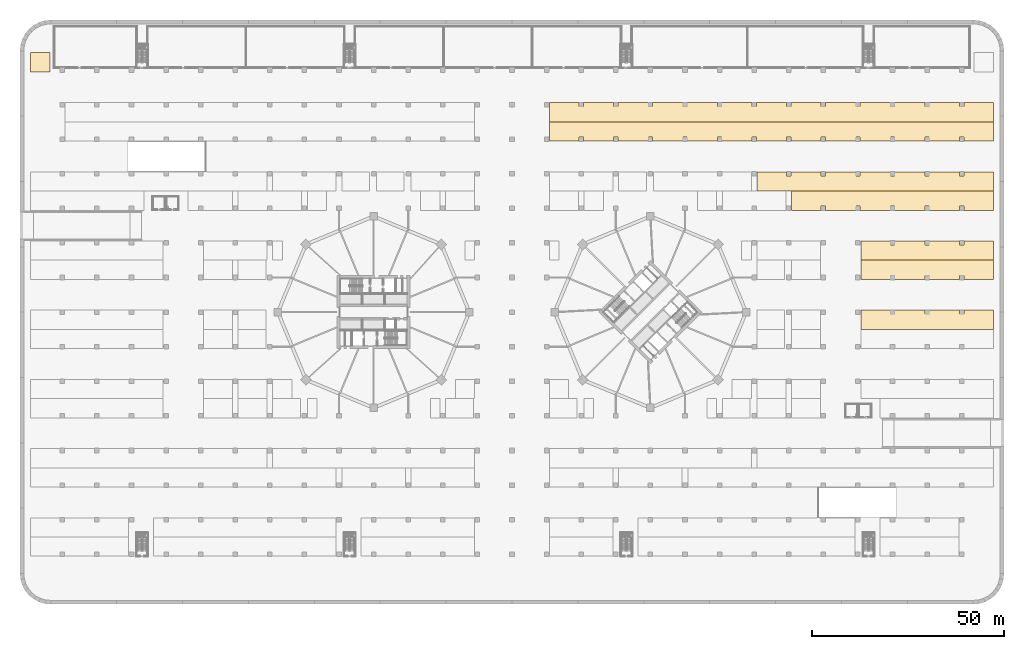
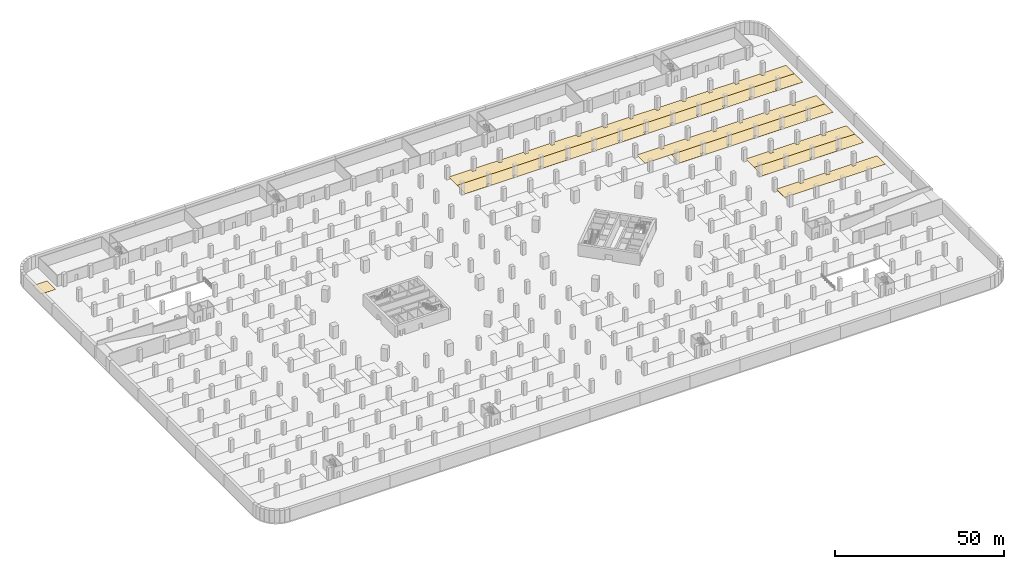
# One storey, part 30 of 34: 8 coverings.
"""IFC4 building model written with IfcOpenShell, lengths in metres."""

from ifc_helpers import new_model, si_unit, direction, frame, origin, place, context, subcontext, project, spatial, polyline, outline, extrude, material, layer, layer_set, type_object, element, save


model = new_model("IFC4")

# Units and contexts
model_context = context("Model", 3, precision=1e-05, world=origin(), true_north=direction((0.0, 1.0)))
body_context = subcontext(model_context, "Body", "Model", "MODEL_VIEW")
ifc_project = project(units=[si_unit("LENGTHUNIT", "METRE"), si_unit("AREAUNIT", "SQUARE_METRE"), si_unit("VOLUMEUNIT", "CUBIC_METRE"), si_unit("PLANEANGLEUNIT", "RADIAN"), si_unit("MASSUNIT", "GRAM", prefix="KILO")], contexts=[model_context])

# Site, building, storey
site_placement = place(None, origin())
site = spatial("IfcSite", under=ifc_project, at=site_placement, CompositionType="ELEMENT")
building_placement = place(site_placement, origin())
building = spatial("IfcBuilding", under=site, at=building_placement, Name="Ogive Gate Towers", CompositionType="ELEMENT")
storey_placement = place(building_placement, frame((0.0, 0.0, -4.5)))
storey = spatial("IfcBuildingStorey", under=building, at=storey_placement, Name="B1", CompositionType="ELEMENT", Elevation=-4.5)

# Coverings
ifc_material = material(Name="Painted floor marking")
ifc_layer = layer(ifc_material, 0.02001953125)
ifc_layer_set = layer_set([ifc_layer], Name="Parking bay marking")
covering_type = type_object("IfcCoveringType", Name="Parking bay marking", PredefinedType="FLOORING", material=ifc_layer_set)
covering_1_placement = place(storey_placement, origin())
element("IfcCovering", 1, at=covering_1_placement, inside=storey, type_object=covering_type, Name="Parking bays B1-041 to B1-058", PredefinedType="FLOORING", context=body_context, shape_type="SweptSolid", body=[
    extrude(outline(polyline([(72.75, 31.5), (125.25, 31.5), (125.25, 26.5), (117.550048828125, 26.5), (117.550048828125, 27.550048828125), (116.449951171875, 27.550048828125), (116.449951171875, 26.5), (108.550048828125, 26.5), (108.550048828125, 27.550048828125), (107.449951171875, 27.550048828125), (107.449951171875, 26.5), (99.550048828125, 26.5), (99.550048828125, 27.550048828125), (98.449951171875, 27.550048828125), (98.449951171875, 26.5), (90.550048828125, 26.5), (90.550048828125, 27.550048828125), (89.449951171875, 27.550048828125), (89.449951171875, 26.5), (81.550048828125, 26.5), (81.550048828125, 27.550048828125), (80.449951171875, 27.550048828125), (80.449951171875, 26.5), (72.75, 26.5), (72.75, 31.5)])), origin(), (0.0, 0.0, 1.0), 0.02001953125),
])
covering_2_placement = place(storey_placement, origin())
element("IfcCovering", 2, at=covering_2_placement, inside=storey, type_object=covering_type, Name="Parking bays B1-081 to B1-092", PredefinedType="FLOORING", context=body_context, shape_type="SweptSolid", body=[
    extrude(outline(polyline([(90.75, 13.5), (125.25, 13.5), (125.25, 8.5), (117.550048828125, 8.5), (117.550048828125, 9.550048828125), (116.449951171875, 9.550048828125), (116.449951171875, 8.5), (108.550048828125, 8.5), (108.550048828125, 9.550048828125), (107.449951171875, 9.550048828125), (107.449951171875, 8.5), (99.550048828125, 8.5), (99.550048828125, 9.550048828125), (98.449951171875, 9.550048828125), (98.449951171875, 8.5), (90.75, 8.5), (90.75, 13.5)])), origin(), (0.0, 0.0, 1.0), 0.02001953125),
])
covering_3_placement = place(storey_placement, origin())
element("IfcCovering", 3, at=covering_3_placement, inside=storey, type_object=covering_type, Name="Parking bays B1-129 to B1-167", PredefinedType="FLOORING", context=body_context, shape_type="SweptSolid", body=[
    extrude(outline(polyline([(9.75, 49.5), (125.25, 49.5), (125.25, 44.5), (117.550048828125, 44.5), (117.550048828125, 45.550048828125), (116.449951171875, 45.550048828125), (116.449951171875, 44.5), (108.550048828125, 44.5), (108.550048828125, 45.550048828125), (107.449951171875, 45.550048828125), (107.449951171875, 44.5), (99.550048828125, 44.5), (99.550048828125, 45.550048828125), (98.449951171875, 45.550048828125), (98.449951171875, 44.5), (90.550048828125, 44.5), (90.550048828125, 45.550048828125), (89.449951171875, 45.550048828125), (89.449951171875, 44.5), (81.550048828125, 44.5), (81.550048828125, 45.550048828125), (80.449951171875, 45.550048828125), (80.449951171875, 44.5), (72.550048828125, 44.5), (72.550048828125, 45.550048828125), (71.449951171875, 45.550048828125), (71.449951171875, 44.5), (63.550048828125, 44.5), (63.550048828125, 45.550048828125), (62.449951171875, 45.550048828125), (62.449951171875, 44.5), (54.550048828125, 44.5), (54.550048828125, 45.550048828125), (53.449951171875, 45.550048828125), (53.449951171875, 44.5), (45.550048828125, 44.5), (45.550048828125, 45.550048828125), (44.449951171875, 45.550048828125), (44.449951171875, 44.5), (36.550048828125, 44.5), (36.550048828125, 45.550048828125), (35.449951171875, 45.550048828125), (35.449951171875, 44.5), (27.550048828125, 44.5), (27.550048828125, 45.550048828125), (26.449951171875, 45.550048828125), (26.449951171875, 44.5), (18.550048828125, 44.5), (18.550048828125, 45.550048828125), (17.449951171875, 45.550048828125), (17.449951171875, 44.5), (9.75, 44.5), (9.75, 49.5)])), origin(), (0.0, 0.0, 1.0), 0.02001953125),
])
covering_4_placement = place(storey_placement, origin())
element("IfcCovering", 4, at=covering_4_placement, inside=storey, type_object=covering_type, Name="Parking bays B1-168 to B1-169", PredefinedType="FLOORING", context=body_context, shape_type="SweptSolid", body=[
    extrude(outline(polyline([(-120.25, 67.5), (-120.25, 62.5), (-125.25, 62.5), (-125.25, 67.5), (-120.25, 67.5)])), origin(), (0.0, 0.0, 1.0), 0.02001953125),
])
covering_5_placement = place(storey_placement, origin())
element("IfcCovering", 5, at=covering_5_placement, inside=storey, type_object=covering_type, Name="Parking bays B1-425 to B1-436", PredefinedType="FLOORING", context=body_context, shape_type="SweptSolid", body=[
    extrude(outline(polyline([(90.75, 18.5), (98.449951171875, 18.5), (98.449951171875, 17.449951171875), (99.550048828125, 17.449951171875), (99.550048828125, 18.5), (107.449951171875, 18.5), (107.449951171875, 17.449951171875), (108.550048828125, 17.449951171875), (108.550048828125, 18.5), (116.449951171875, 18.5), (116.449951171875, 17.449951171875), (117.550048828125, 17.449951171875), (117.550048828125, 18.5), (125.25, 18.5), (125.25, 13.5), (90.75, 13.5), (90.75, 18.5)])), origin(), (0.0, 0.0, 1.0), 0.02001953125),
])
covering_6_placement = place(storey_placement, origin())
element("IfcCovering", 6, at=covering_6_placement, inside=storey, type_object=covering_type, Name="Parking bays B1-459 to B1-470", PredefinedType="FLOORING", context=body_context, shape_type="SweptSolid", body=[
    extrude(outline(polyline([(90.75, 0.5), (98.449951171875, 0.5), (98.449951171875, -0.550048828125), (99.550048828125, -0.550048828125), (99.550048828125, 0.5), (107.449951171875, 0.5), (107.449951171875, -0.550048828125), (108.550048828125, -0.550048828125), (108.550048828125, 0.5), (116.449951171875, 0.5), (116.449951171875, -0.550048828125), (117.550048828125, -0.550048828125), (117.550048828125, 0.5), (125.25, 0.5), (125.25, -4.5), (90.75, -4.5), (90.75, 0.5)])), origin(), (0.0, 0.0, 1.0), 0.02001953125),
])
covering_7_placement = place(storey_placement, origin())
element("IfcCovering", 7, at=covering_7_placement, inside=storey, type_object=covering_type, Name="Parking bays B1-525 to B1-545", PredefinedType="FLOORING", context=body_context, shape_type="SweptSolid", body=[
    extrude(outline(polyline([(63.75, 36.5), (71.449951171875, 36.5), (71.449951171875, 35.449951171875), (72.550048828125, 35.449951171875), (72.550048828125, 36.5), (80.449951171875, 36.5), (80.449951171875, 35.449951171875), (81.550048828125, 35.449951171875), (81.550048828125, 36.5), (89.449951171875, 36.5), (89.449951171875, 35.449951171875), (90.550048828125, 35.449951171875), (90.550048828125, 36.5), (98.449951171875, 36.5), (98.449951171875, 35.449951171875), (99.550048828125, 35.449951171875), (99.550048828125, 36.5), (107.449951171875, 36.5), (107.449951171875, 35.449951171875), (108.550048828125, 35.449951171875), (108.550048828125, 36.5), (116.449951171875, 36.5), (116.449951171875, 35.449951171875), (117.550048828125, 35.449951171875), (117.550048828125, 36.5), (125.25, 36.5), (125.25, 31.5), (63.75, 31.5), (63.75, 36.5)])), origin(), (0.0, 0.0, 1.0), 0.02001953125),
])
covering_8_placement = place(storey_placement, origin())
element("IfcCovering", 8, at=covering_8_placement, inside=storey, type_object=covering_type, Name="Parking bays B1-582 to B1-620", PredefinedType="FLOORING", context=body_context, shape_type="SweptSolid", body=[
    extrude(outline(polyline([(9.75, 54.5), (17.449951171875, 54.5), (17.449951171875, 53.449951171875), (18.550048828125, 53.449951171875), (18.550048828125, 54.5), (26.449951171875, 54.5), (26.449951171875, 53.449951171875), (27.550048828125, 53.449951171875), (27.550048828125, 54.5), (35.449951171875, 54.5), (35.449951171875, 53.449951171875), (36.550048828125, 53.449951171875), (36.550048828125, 54.5), (44.449951171875, 54.5), (44.449951171875, 53.449951171875), (45.550048828125, 53.449951171875), (45.550048828125, 54.5), (53.449951171875, 54.5), (53.449951171875, 53.449951171875), (54.550048828125, 53.449951171875), (54.550048828125, 54.5), (62.449951171875, 54.5), (62.449951171875, 53.449951171875), (63.550048828125, 53.449951171875), (63.550048828125, 54.5), (71.449951171875, 54.5), (71.449951171875, 53.449951171875), (72.550048828125, 53.449951171875), (72.550048828125, 54.5), (80.449951171875, 54.5), (80.449951171875, 53.449951171875), (81.550048828125, 53.449951171875), (81.550048828125, 54.5), (89.449951171875, 54.5), (89.449951171875, 53.449951171875), (90.550048828125, 53.449951171875), (90.550048828125, 54.5), (98.449951171875, 54.5), (98.449951171875, 53.449951171875), (99.550048828125, 53.449951171875), (99.550048828125, 54.5), (107.449951171875, 54.5), (107.449951171875, 53.449951171875), (108.550048828125, 53.449951171875), (108.550048828125, 54.5), (116.449951171875, 54.5), (116.449951171875, 53.449951171875), (117.550048828125, 53.449951171875), (117.550048828125, 54.5), (125.25, 54.5), (125.25, 49.5), (9.75, 49.5), (9.75, 54.5)])), origin(), (0.0, 0.0, 1.0), 0.02001953125),
])

save(model, "model.ifc")
